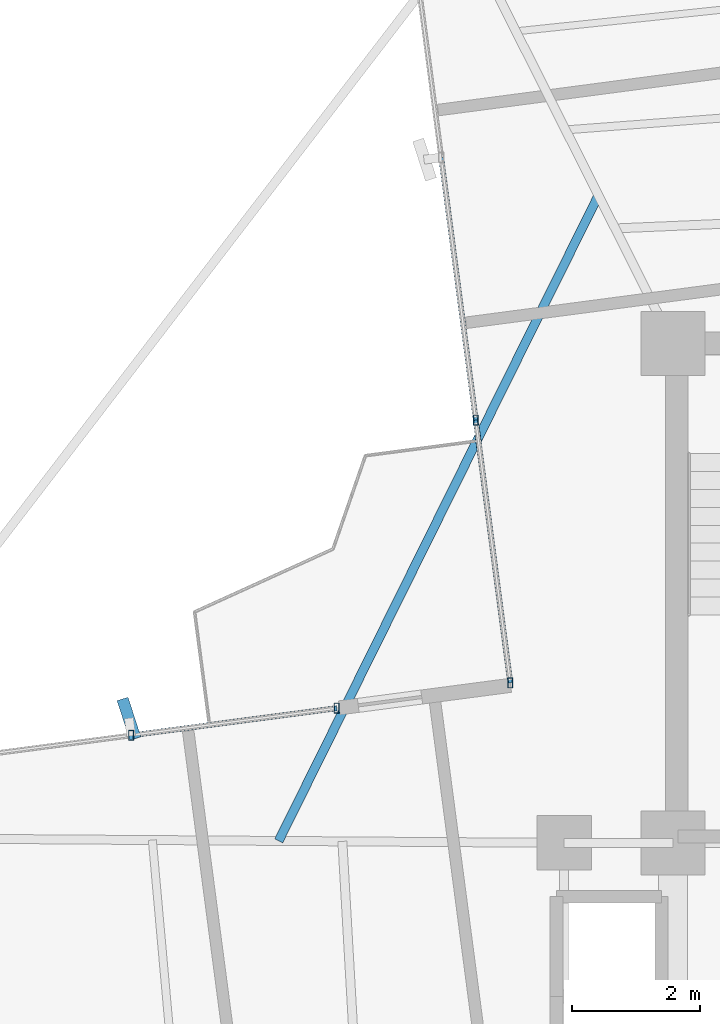
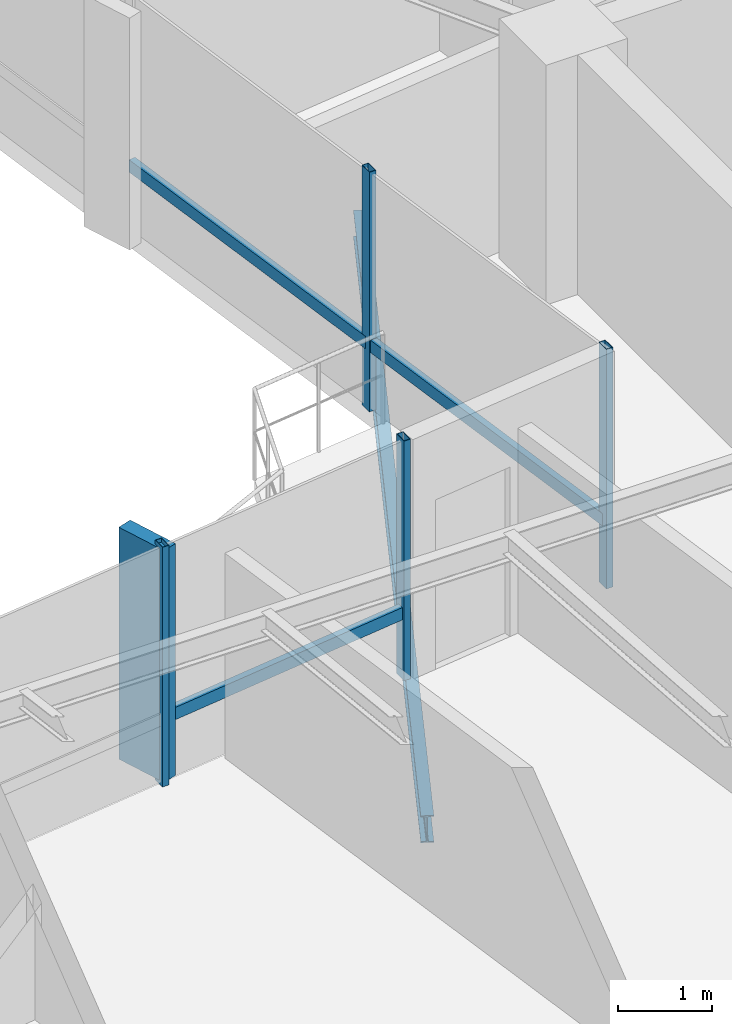
# One storey, part 8 of 21: 8 members, 1 beam, 2 elements without a shape of their own.
"""IFC4 building model written with IfcOpenShell, lengths in metres."""

from ifc_helpers import new_model, si_unit, direction, frame, origin, origin_2d, place, context, subcontext, project, spatial, rectangle, hollow_rectangle, i_section, extrude, source, transform, mapped, material, material_profile, profile_set, type_object, element, aggregate, save


model = new_model("IFC4")

# Units and contexts
model_context = context("Model", 3, precision=1e-05, world=origin(), true_north=direction((0.0, 1.0)))
body_context = subcontext(model_context, "Body", "Model", "MODEL_VIEW")
ifc_project = project(units=[si_unit("LENGTHUNIT", "METRE"), si_unit("AREAUNIT", "SQUARE_METRE"), si_unit("VOLUMEUNIT", "CUBIC_METRE"), si_unit("PLANEANGLEUNIT", "RADIAN"), si_unit("MASSUNIT", "GRAM", prefix="KILO")], contexts=[model_context])

# Site, building, storey
site_placement = place(None, origin())
site = spatial("IfcSite", under=ifc_project, at=site_placement, CompositionType="ELEMENT")
building_placement = place(site_placement, origin())
building = spatial("IfcBuilding", under=site, at=building_placement, Name="Sahyath Konkavel Grand Hotel", CompositionType="ELEMENT")
storey_placement = place(building_placement, frame((0.0, 0.0, 219.89990234375)))
storey = spatial("IfcBuildingStorey", under=building, at=storey_placement, Name="L61", CompositionType="ELEMENT", Elevation=219.89990234375)

# Curtain wall, member
ifc_material_1 = material(Name="Anodised Bronze Aluminium & Low-E Glazing", Category="aluminium")
curtain_wall_type = type_object("IfcCurtainWallType", Name="CW-ZONE4", PredefinedType="NOTDEFINED", material=ifc_material_1)
curtain_wall_1_placement = place(storey_placement, origin())
curtain_wall_1 = element("IfcCurtainWall", 1, at=curtain_wall_1_placement, inside=storey, type_object=curtain_wall_type, Name="L61 Unitised Curtain Wall F16", PredefinedType="NOTDEFINED")
ifc_material_2 = material(Name="Warm Buff Sandstone Cladding on Concrete C50/60", Category="masonry")
ifc_material_profile_1 = material_profile(ifc_material_2, rectangle(XDim=0.179931640625, YDim=0.64990234375, at=origin_2d()), Name="FIN 180x650")
ifc_profile_set_1 = profile_set([ifc_material_profile_1], Name="Warm Buff Sandstone Cladding on Concrete C50/60")
member_type_1 = type_object("IfcMemberType", Name="FIN-SANDSTONE-650", PredefinedType="MULLION", material=ifc_profile_set_1)
shared_shape_1 = source(origin(), body_context, "Body", "SweptSolid", [
    extrude(rectangle(XDim=0.179931640625, YDim=0.64990234375, at=origin_2d()), origin(), (0.0, 0.0, 1.0), 3.010009765625),
])
member_1_placement = place(storey_placement, frame((-12.29443359375, 4.33837890625, 0.050048828125), z_axis=(0.0, 0.0, 1.0), x_axis=(0.951487058208, 0.307688768178, 0.0)))
member_1 = element("IfcMember", 2, at=member_1_placement, type_object=member_type_1, Name="L61 Sandstone Vertical Solar Fin FIN F16-1", PredefinedType="MULLION", context=body_context, shape_type="MappedRepresentation", body=[
    mapped(shared_shape_1, transform((0.0, 0.0, 0.0), scale=1.0)),
])

# Curtain wall, members
curtain_wall_2_placement = place(storey_placement, origin())
curtain_wall_2 = element("IfcCurtainWall", 3, at=curtain_wall_2_placement, inside=storey, type_object=curtain_wall_type, Name="L61 Unitised Curtain Wall F15", PredefinedType="NOTDEFINED")
ifc_material_3 = material(Name="Anodised Bronze Aluminium", Category="aluminium")
ifc_material_profile_2 = material_profile(ifc_material_3, hollow_rectangle(XDim=0.080078125, YDim=0.159912109375, WallThickness=0.006103515625, at=origin_2d()), Name="RHS 160x80x6")
ifc_profile_set_2 = profile_set([ifc_material_profile_2], Name="Anodised Bronze Aluminium")
member_type_2 = type_object("IfcMemberType", Name="CW-MUL-160", PredefinedType="MULLION", material=ifc_profile_set_2)
shared_shape_2 = source(origin(), body_context, "Body", "SweptSolid", [
    extrude(hollow_rectangle(XDim=0.080078125, YDim=0.159912109375, WallThickness=0.006103515625, at=origin_2d()), origin(), (0.0, 0.0, 1.0), 3.110107421875),
])
member_2_placement = place(storey_placement, frame((-6.8798828125, 9.001953125, 0.0), z_axis=(0.0, 0.0, 1.0), x_axis=(1.0, 0.0, 0.0)))
member_2 = element("IfcMember", 4, at=member_2_placement, type_object=member_type_2, Name="L61 Curtain Wall Mullion F15-2", PredefinedType="MULLION", context=body_context, shape_type="MappedRepresentation", body=[
    mapped(shared_shape_2, transform((0.0, 0.0, 0.0), scale=1.0)),
])
member_3_placement = place(storey_placement, frame((-6.33984375, 4.900390625, 0.0), z_axis=(0.0, 0.0, 1.0), x_axis=(1.0, 0.0, 0.0)))
member_3 = element("IfcMember", 5, at=member_3_placement, type_object=member_type_2, Name="L61 Curtain Wall Mullion F15-3", PredefinedType="MULLION", context=body_context, shape_type="MappedRepresentation", body=[
    mapped(shared_shape_2, transform((0.0, 0.0, 0.0), scale=1.0)),
])

# Member
member_4_placement = place(storey_placement, frame((-9.05126953125, 4.503173828125, 0.0), z_axis=(0.0, 0.0, 1.0), x_axis=(1.0, 0.0, 0.0)))
member_4 = element("IfcMember", 6, at=member_4_placement, type_object=member_type_2, Name="L61 Curtain Wall Mullion F16-0", PredefinedType="MULLION", context=body_context, shape_type="MappedRepresentation", body=[
    mapped(shared_shape_2, transform((0.0, 0.0, 0.0), scale=1.0)),
])

member_5_placement = place(storey_placement, frame((-12.260498046875, 4.08056640625, 0.0), z_axis=(0.0, 0.0, 1.0), x_axis=(1.0, 0.0, 0.0)))
member_5 = element("IfcMember", 7, at=member_5_placement, type_object=member_type_2, Name="L61 Curtain Wall Mullion F16-1", PredefinedType="MULLION", context=body_context, shape_type="MappedRepresentation", body=[
    mapped(shared_shape_2, transform((0.0, 0.0, 0.0), scale=1.0)),
])

# Beam
ifc_material_4 = material(Name="Steel E350", Category="steel")
ifc_material_profile_3 = material_profile(ifc_material_4, i_section(OverallWidth=0.139892578125, OverallDepth=0.35009765625, WebThickness=0.008056640625, FlangeThickness=0.01416015625, FilletRadius=0.013916015625, at=origin_2d()), Name="ISMB 350")
ifc_profile_set_3 = profile_set([ifc_material_profile_3], Name="Steel E350")
beam_type = type_object("IfcBeamType", Name="BM-BALC-CANT", PredefinedType="BEAM", material=ifc_profile_set_3)
shared_shape_3 = source(origin(), body_context, "Body", "SweptSolid", [
    extrude(i_section(OverallWidth=0.139892578125, OverallDepth=0.35009765625, WebThickness=0.008056640625, FlangeThickness=0.01416015625, FilletRadius=0.013916015625, at=origin_2d()), origin(), (0.0, 0.0, 1.0), 11.25),
])
beam_placement = place(storey_placement, frame((-4.962890625, 12.512939453125, -0.414794921875), z_axis=(-0.443833696027, -0.896109173188, 0.0), x_axis=(0.896109173188, -0.443833696027, 0.0)))
element("IfcBeam", 8, at=beam_placement, inside=storey, type_object=beam_type, Name="L61 Balcony Cantilever Support Beam NW", PredefinedType="BEAM", context=body_context, shape_type="MappedRepresentation", body=[
    mapped(shared_shape_3, transform((0.0, 0.0, 0.0), scale=1.0)),
])

# Member
ifc_material_profile_4 = material_profile(ifc_material_3, hollow_rectangle(XDim=0.080078125, YDim=0.159912109375, WallThickness=0.006103515625, at=origin_2d()), Name="RHS 160x80x6")
ifc_profile_set_4 = profile_set([ifc_material_profile_4], Name="Anodised Bronze Aluminium")
member_type_3 = type_object("IfcMemberType", Name="CW-TRN-160", PredefinedType="USERDEFINED", material=ifc_profile_set_4)
shared_shape_4 = source(origin(), body_context, "Body", "SweptSolid", [
    extrude(hollow_rectangle(XDim=0.080078125, YDim=0.159912109375, WallThickness=0.006103515625, at=origin_2d()), origin(), (0.0, 0.0, 1.0), 3.23681640625),
])
member_6_placement = place(storey_placement, frame((-9.05126953125, 4.503173828125, 0.85009765625), z_axis=(-0.991440684158, -0.130557917404, 0.0), x_axis=(0.130557917404, -0.991440684158, 0.0)))
member_6 = element("IfcMember", 9, at=member_6_placement, type_object=member_type_3, Name="L61 Curtain Wall Transom F16-0-spandrel", ObjectType="TRANSOM", PredefinedType="USERDEFINED", context=body_context, shape_type="MappedRepresentation", body=[
    mapped(shared_shape_4, transform((0.0, 0.0, 0.0), scale=1.0)),
])

aggregate(curtain_wall_1, [member_4, member_5, member_1, member_6])

shared_shape_5 = source(origin(), body_context, "Body", "SweptSolid", [
    extrude(hollow_rectangle(XDim=0.080078125, YDim=0.159912109375, WallThickness=0.006103515625, at=origin_2d()), origin(), (0.0, 0.0, 1.0), 4.136962890625),
])
member_7_placement = place(storey_placement, frame((-7.419921875, 13.103515625, 0.85009765625), z_axis=(0.130540000708, -0.991443043354, 0.0), x_axis=(0.991443043354, 0.130540000708, 0.0)))
member_7 = element("IfcMember", 10, at=member_7_placement, type_object=member_type_3, Name="L61 Curtain Wall Transom F15-1-spandrel", ObjectType="TRANSOM", PredefinedType="USERDEFINED", context=body_context, shape_type="MappedRepresentation", body=[
    mapped(shared_shape_5, transform((0.0, 0.0, 0.0), scale=1.0)),
])

member_8_placement = place(storey_placement, frame((-6.8798828125, 9.001953125, 0.85009765625), z_axis=(0.130540000708, -0.991443043354, 0.0), x_axis=(0.991443043354, 0.130540000708, 0.0)))
member_8 = element("IfcMember", 11, at=member_8_placement, type_object=member_type_3, Name="L61 Curtain Wall Transom F15-2-spandrel", ObjectType="TRANSOM", PredefinedType="USERDEFINED", context=body_context, shape_type="MappedRepresentation", body=[
    mapped(shared_shape_5, transform((0.0, 0.0, 0.0), scale=1.0)),
])

aggregate(curtain_wall_2, [member_2, member_3, member_7, member_8])

save(model, "model.ifc")
